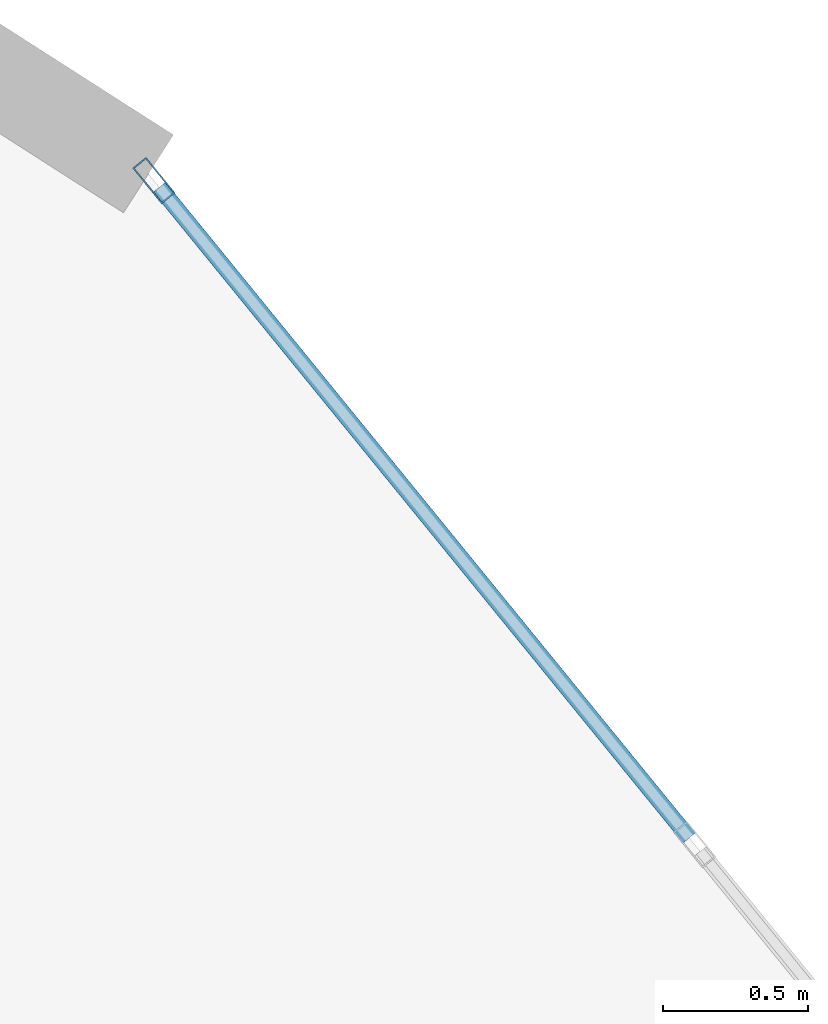
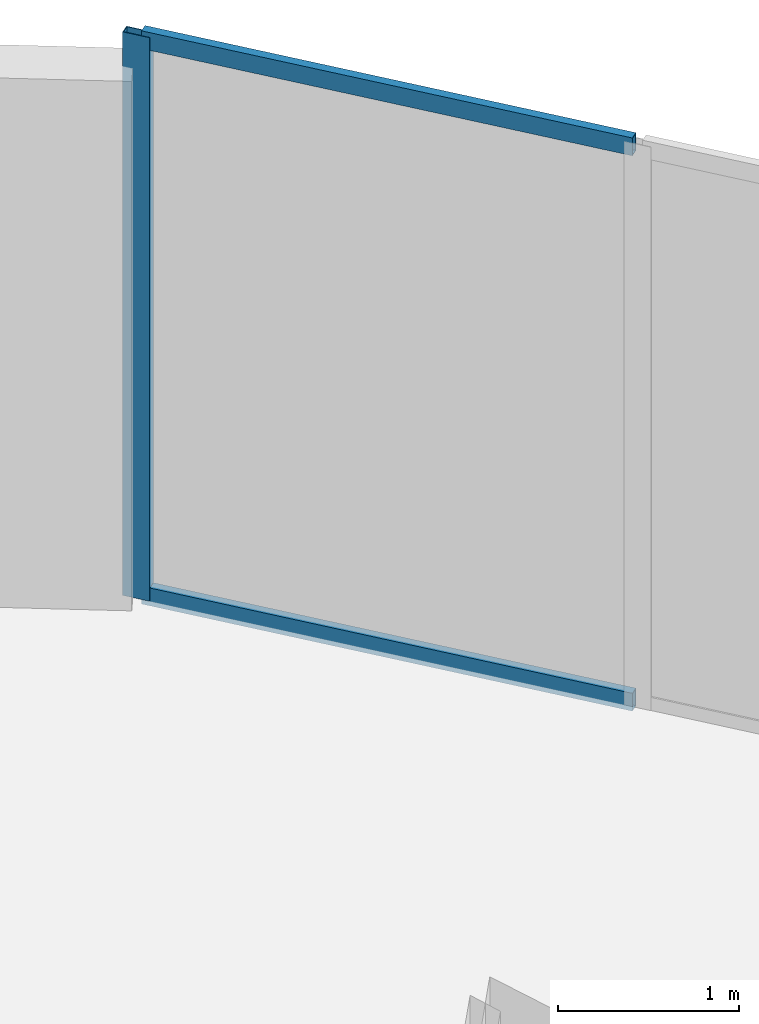
# One storey, part 15 of 22: 3 members, 1 element without a shape of its own.
"""IFC4 building model written with IfcOpenShell, lengths in metres."""

from ifc_helpers import new_model, si_unit, direction, frame, origin, origin_2d, place, context, subcontext, project, spatial, hollow_rectangle, extrude, source, transform, mapped, material, layer, layer_set, material_profile, profile_set, type_object, element, aggregate, save


model = new_model("IFC4")

# Units and contexts
model_context = context("Model", 3, precision=1e-05, world=origin(), true_north=direction((0.0, 1.0)))
body_context = subcontext(model_context, "Body", "Model", "MODEL_VIEW")
ifc_project = project(units=[si_unit("LENGTHUNIT", "METRE"), si_unit("AREAUNIT", "SQUARE_METRE"), si_unit("VOLUMEUNIT", "CUBIC_METRE"), si_unit("PLANEANGLEUNIT", "RADIAN"), si_unit("MASSUNIT", "GRAM", prefix="KILO")], contexts=[model_context])

# Site, building, storey
site_placement = place(None, origin())
site = spatial("IfcSite", under=ifc_project, at=site_placement, CompositionType="ELEMENT")
building_placement = place(site_placement, origin())
building = spatial("IfcBuilding", under=site, at=building_placement, Name="Solvirekh Grand Hotel", CompositionType="ELEMENT")
storey_placement = place(building_placement, frame((0.0, 0.0, 293.39990234375)))
storey = spatial("IfcBuildingStorey", under=building, at=storey_placement, Name="L76", CompositionType="ELEMENT", Elevation=293.39990234375)

# Curtain wall, members
ifc_material = material(Name="Anodized Bronze Aluminium 6063-T6", Category="aluminium")
ifc_layer = layer(ifc_material, 0.159912109375)
ifc_layer_set = layer_set([ifc_layer], Name="Anodized Bronze Aluminium 6063-T6")
curtain_wall_type = type_object("IfcCurtainWallType", Name="CW_Sys4_HighZoneFlushBronzeCW", PredefinedType="NOTDEFINED", material=ifc_layer_set)
curtain_wall_placement = place(storey_placement, origin())
curtain_wall = element("IfcCurtainWall", 1, at=curtain_wall_placement, inside=storey, type_object=curtain_wall_type, Name="L76 unitised bronze-glass curtain wall CW-L76-C08", PredefinedType="NOTDEFINED")
ifc_material_profile_1 = material_profile(ifc_material, hollow_rectangle(XDim=0.06005859375, YDim=0.159912109375, WallThickness=0.0048828125, at=origin_2d()), Name="ALU RHS 160X60X5")
ifc_profile_set_1 = profile_set([ifc_material_profile_1], Name="Anodized Bronze Aluminium 6063-T6")
member_type_1 = type_object("IfcMemberType", Name="CWMullion_Sys4", PredefinedType="MULLION", material=ifc_profile_set_1)
shared_shape_1 = source(origin(), body_context, "Body", "SweptSolid", [
    extrude(hollow_rectangle(XDim=0.06005859375, YDim=0.159912109375, WallThickness=0.0048828125, at=origin_2d()), origin(), (0.0, 0.0, 1.0), 3.800048828125),
])
member_1_placement = place(storey_placement, frame((11.15087890625, 14.791748046875, 0.0), z_axis=(0.0, 0.0, 1.0), x_axis=(-0.775377413326, -0.631498113143, 0.0)))
member_1 = element("IfcMember", 2, at=member_1_placement, type_object=member_type_1, Name="U04 mullion 3", PredefinedType="MULLION", context=body_context, shape_type="MappedRepresentation", body=[
    mapped(shared_shape_1, transform((0.0, 0.0, 0.0), x_axis=(1.0, 0.0, 0.0), y_axis=(0.0, 1.0, 0.0), z_axis=(0.0, 0.0, 1.0), scale=1.0)),
])
ifc_material_profile_2 = material_profile(ifc_material, hollow_rectangle(XDim=0.054931640625, YDim=0.1201171875, WallThickness=0.00390625, at=origin_2d()), Name="ALU RHS 120X55X4")
ifc_profile_set_2 = profile_set([ifc_material_profile_2], Name="Anodized Bronze Aluminium 6063-T6")
member_type_2 = type_object("IfcMemberType", Name="CWTransom_Sys4", PredefinedType="USERDEFINED", material=ifc_profile_set_2)
shared_shape_2 = source(origin(), body_context, "Body", "SweptSolid", [
    extrude(hollow_rectangle(XDim=0.054931640625, YDim=0.1201171875, WallThickness=0.00390625, at=origin_2d()), origin(), (0.0, 0.0, 1.0), 2.902099609375),
])
member_2_placement = place(storey_placement, frame((13.00244140625, 12.518310546875, 0.027587890625), z_axis=(-0.631463198088, 0.775405848225, 0.0), x_axis=(-0.775405848225, -0.631463198088, 0.0)))
member_2 = element("IfcMember", 3, at=member_2_placement, type_object=member_type_2, Name="U04 transom 2.1", ObjectType="TRANSOM", PredefinedType="USERDEFINED", context=body_context, shape_type="MappedRepresentation", body=[
    mapped(shared_shape_2, transform((0.0, 0.0, 0.0), x_axis=(1.0, 0.0, 0.0), y_axis=(0.0, 1.0, 0.0), z_axis=(0.0, 0.0, 1.0), scale=1.0)),
])
member_3_placement = place(storey_placement, frame((13.00244140625, 12.518310546875, 3.772705078125), z_axis=(-0.631463198088, 0.775405848225, 0.0), x_axis=(-0.775405848225, -0.631463198088, 0.0)))
member_3 = element("IfcMember", 4, at=member_3_placement, type_object=member_type_2, Name="U04 transom 2.2", ObjectType="TRANSOM", PredefinedType="USERDEFINED", context=body_context, shape_type="MappedRepresentation", body=[
    mapped(shared_shape_2, transform((0.0, 0.0, 0.0), x_axis=(1.0, 0.0, 0.0), y_axis=(0.0, 1.0, 0.0), z_axis=(0.0, 0.0, 1.0), scale=1.0)),
])
aggregate(curtain_wall, [member_1, member_2, member_3])

save(model, "model.ifc")
